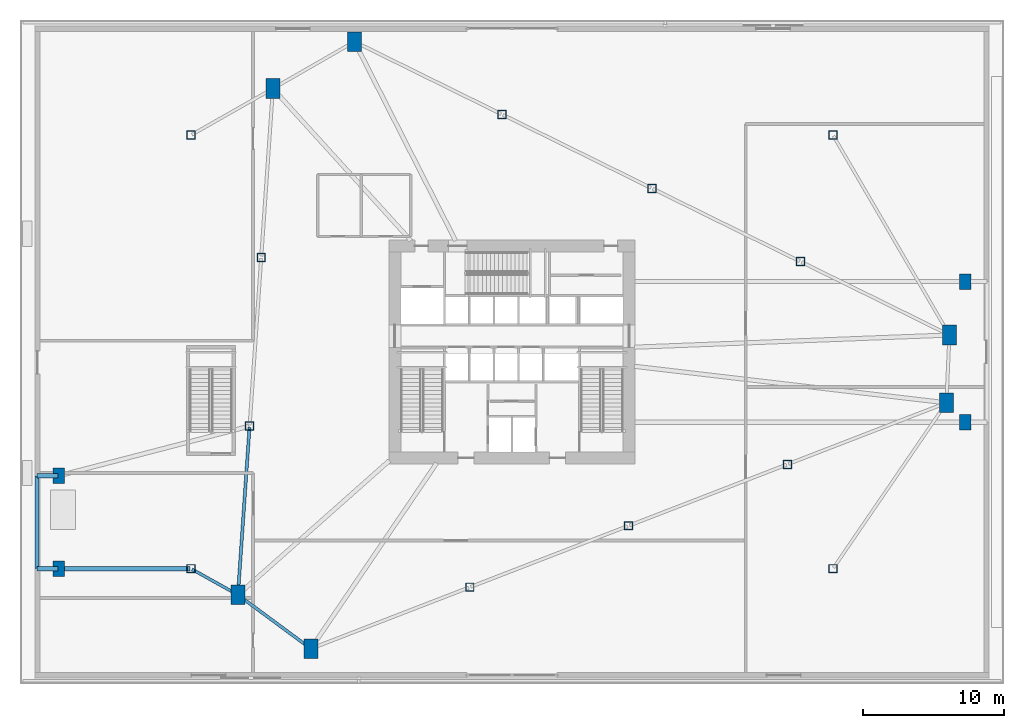
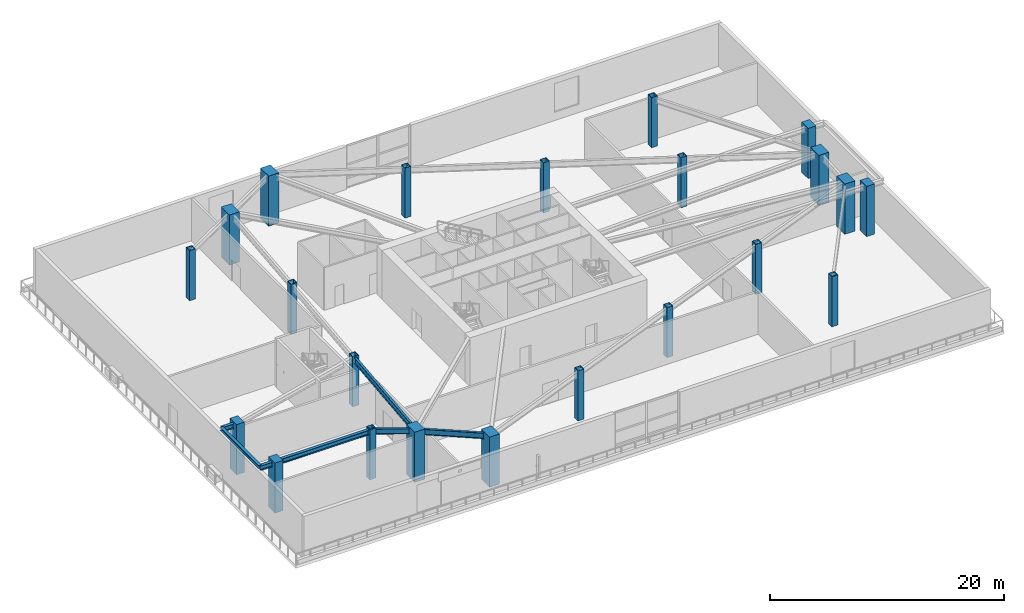
# One storey, part 1 of 15: 22 columns, 7 beams.
"""IFC4 building model written with IfcOpenShell, lengths in metres."""

from ifc_helpers import new_model, si_unit, direction, frame, origin, origin_2d, place, context, subcontext, project, spatial, rectangle, hollow_rectangle, i_section, extrude, source, transform, mapped, material, material_profile, profile_set, type_object, element, save


model = new_model("IFC4")

# Units and contexts
model_context = context("Model", 3, precision=1e-05, world=origin(), true_north=direction((0.0, 1.0)))
body_context = subcontext(model_context, "Body", "Model", "MODEL_VIEW")
ifc_project = project(units=[si_unit("LENGTHUNIT", "METRE"), si_unit("AREAUNIT", "SQUARE_METRE"), si_unit("VOLUMEUNIT", "CUBIC_METRE"), si_unit("PLANEANGLEUNIT", "RADIAN"), si_unit("MASSUNIT", "GRAM", prefix="KILO")], contexts=[model_context])

# Site, building, storey
site_placement = place(None, origin())
site = spatial("IfcSite", under=ifc_project, at=site_placement, CompositionType="ELEMENT")
building_placement = place(site_placement, origin())
building = spatial("IfcBuilding", under=site, at=building_placement, Name="Olszyna Solenne Hotel", CompositionType="ELEMENT")
storey_placement = place(building_placement, frame((0.0, 0.0, 10.199951171875)))
storey = spatial("IfcBuildingStorey", under=building, at=storey_placement, Name="L02", CompositionType="ELEMENT", Elevation=10.199951171875)

# Columns
ifc_material_1 = material(Name="Concrete C60/75", Category="concrete")
ifc_material_profile_1 = material_profile(ifc_material_1, rectangle(XDim=1.0, YDim=1.39990234375, at=origin_2d()), Name="RC 1400x1000", Category="load-bearing")
ifc_profile_set_1 = profile_set([ifc_material_profile_1], Name="Concrete C60/75")
column_type_1 = type_object("IfcColumnType", Name="COL-P1", PredefinedType="COLUMN", material=ifc_profile_set_1)
shared_shape_1 = source(origin(), body_context, "Body", "SweptSolid", [
    extrude(rectangle(XDim=1.0, YDim=1.39990234375, at=origin_2d()), origin(), (0.0, 0.0, 1.0), 5.235107421875),
])
for number, where, z_axis, x_axis, name in (
    (1, (68.858154296875, 22.984619140625, 0.0), (0.0, 0.0, 1.0), (1.0, 0.0, 0.0), "Podium mega-column COL-P1 C-L02-P1-01"),
    (2, (69.072509765625, 27.802978515625, 0.0), (0.0, 0.0, 1.0), (1.0, 0.0, 0.0), "Podium mega-column COL-P1 C-L02-P1-02"),
    (3, (26.808837890625, 48.6416015625, 0.0), (0.0, 0.0, 1.0), (1.0, 0.0, 0.0), "Podium mega-column COL-P1 C-L02-P1-03"),
    (4, (21.014404296875, 45.309326171875, 0.0), (0.0, 0.0, 1.0), (1.0, 0.0, 0.0), "Podium mega-column COL-P1 C-L02-P1-04"),
    (5, (18.53173828125, 9.34130859375, 0.0), (0.0, 0.0, 1.0), (1.0, 0.0, 0.0), "Podium mega-column COL-P1 C-L02-P1-05"),
    (6, (23.71435546875, 5.520263671875, 0.0), (0.0, 0.0, 1.0), (1.0, 0.0, 0.0), "Podium mega-column COL-P1 C-L02-P1-06"),
):
    element("IfcColumn", number, at=place(storey_placement, frame(where, z_axis=z_axis, x_axis=x_axis)), inside=storey, type_object=column_type_1, Name=name, PredefinedType="COLUMN", context=body_context, shape_type="MappedRepresentation", body=[
        mapped(shared_shape_1, transform((0.0, 0.0, 0.0), x_axis=(1.0, 0.0, 0.0), y_axis=(0.0, 1.0, 0.0), z_axis=(0.0, 0.0, 1.0), scale=1.0)),
    ])
ifc_material_2 = material(Name="Steel S460M", Category="steel")
ifc_material_profile_2 = material_profile(ifc_material_2, hollow_rectangle(XDim=0.60009765625, YDim=0.60009765625, WallThickness=0.034912109375, at=origin_2d()), Name="SHS 600x600x35", Category="load-bearing")
ifc_profile_set_2 = profile_set([ifc_material_profile_2], Name="Steel S460M")
column_type_2 = type_object("IfcColumnType", Name="COL-P2", PredefinedType="COLUMN", material=ifc_profile_set_2)
shared_shape_2 = source(origin(), body_context, "Body", "SweptSolid", [
    extrude(hollow_rectangle(XDim=0.60009765625, YDim=0.60009765625, WallThickness=0.034912109375, at=origin_2d()), origin(), (0.0, 0.0, 1.0), 5.235107421875),
])
for number, where, z_axis, x_axis, name in (
    (7, (15.199951171875, 11.199951171875, 0.0), (0.0, 0.0, 1.0), (1.0, 0.0, 0.0), "Podium mega-column COL-P2 C-L02-P2-01"),
    (8, (15.199951171875, 42.0, 0.0), (0.0, 0.0, 1.0), (1.0, 0.0, 0.0), "Podium mega-column COL-P2 C-L02-P2-02"),
    (9, (60.800048828125, 11.199951171875, 0.0), (0.0, 0.0, 1.0), (1.0, 0.0, 0.0), "Podium mega-column COL-P2 C-L02-P2-03"),
    (10, (60.800048828125, 42.0, 0.0), (0.0, 0.0, 1.0), (1.0, 0.0, 0.0), "Podium mega-column COL-P2 C-L02-P2-04"),
    (11, (58.506591796875, 33.0126953125, 0.0), (0.0, 0.0, 1.0), (1.0, 0.0, 0.0), "Podium transfer-support column COL-P2 C-L02-TG-01"),
    (12, (47.94091796875, 38.222412109375, 0.0), (0.0, 0.0, 1.0), (1.0, 0.0, 0.0), "Podium transfer-support column COL-P2 C-L02-TG-02"),
    (13, (37.287109375, 43.47509765625, 0.0), (0.0, 0.0, 1.0), (1.0, 0.0, 0.0), "Podium transfer-support column COL-P2 C-L02-TG-03"),
    (14, (20.186767578125, 33.320068359375, 0.0), (0.0, 0.0, 1.0), (1.0, 0.0, 0.0), "Podium transfer-support column COL-P2 C-L02-TG-04"),
    (15, (19.359375, 21.33056640625, 0.0), (0.0, 0.0, 1.0), (1.0, 0.0, 0.0), "Podium transfer-support column COL-P2 C-L02-TG-05"),
    (16, (35.000244140625, 9.88623046875, 0.0), (0.0, 0.0, 1.0), (1.0, 0.0, 0.0), "Podium transfer-support column COL-P2 C-L02-TG-06"),
    (17, (46.2861328125, 14.25244140625, 0.0), (0.0, 0.0, 1.0), (1.0, 0.0, 0.0), "Podium transfer-support column COL-P2 C-L02-TG-07"),
    (18, (57.572265625, 18.618408203125, 0.0), (0.0, 0.0, 1.0), (1.0, 0.0, 0.0), "Podium transfer-support column COL-P2 C-L02-TG-08"),
):
    element("IfcColumn", number, at=place(storey_placement, frame(where, z_axis=z_axis, x_axis=x_axis)), inside=storey, type_object=column_type_2, Name=name, PredefinedType="COLUMN", context=body_context, shape_type="MappedRepresentation", body=[
        mapped(shared_shape_2, transform((0.0, 0.0, 0.0), x_axis=(1.0, 0.0, 0.0), y_axis=(0.0, 1.0, 0.0), z_axis=(0.0, 0.0, 1.0), scale=1.0)),
    ])
ifc_material_3 = material(Name="Concrete C50/60", Category="concrete")
ifc_material_profile_3 = material_profile(ifc_material_3, rectangle(XDim=0.800048828125, YDim=1.10009765625, at=origin_2d()), Name="RC 1100x800", Category="load-bearing")
ifc_profile_set_3 = profile_set([ifc_material_profile_3], Name="Concrete C50/60")
column_type_3 = type_object("IfcColumnType", Name="COL-B1", PredefinedType="COLUMN", material=ifc_profile_set_3)
shared_shape_3 = source(origin(), body_context, "Body", "SweptSolid", [
    extrude(rectangle(XDim=0.800048828125, YDim=1.10009765625, at=origin_2d()), origin(), (0.0, 0.0, 1.0), 5.235107421875),
])
for number, where, z_axis, x_axis, name in (
    (19, (5.800048828125, 11.199951171875, 0.0), (0.0, 0.0, 1.0), (1.0, 0.0, 0.0), "Terrace support RC column COL-B1 C-L02-TC-140"),
    (20, (5.800048828125, 17.800048828125, 0.0), (0.0, 0.0, 1.0), (1.0, 0.0, 0.0), "Terrace support RC column COL-B1 C-L02-TC-141"),
    (21, (70.199951171875, 21.60009765625, 0.0), (0.0, 0.0, 1.0), (1.0, 0.0, 0.0), "Terrace support RC column COL-B1 C-L02-TC-142"),
    (22, (70.199951171875, 31.60009765625, 0.0), (0.0, 0.0, 1.0), (1.0, 0.0, 0.0), "Terrace support RC column COL-B1 C-L02-TC-143"),
):
    element("IfcColumn", number, at=place(storey_placement, frame(where, z_axis=z_axis, x_axis=x_axis)), inside=storey, type_object=column_type_3, Name=name, PredefinedType="COLUMN", context=body_context, shape_type="MappedRepresentation", body=[
        mapped(shared_shape_3, transform((0.0, 0.0, 0.0), x_axis=(1.0, 0.0, 0.0), y_axis=(0.0, 1.0, 0.0), z_axis=(0.0, 0.0, 1.0), scale=1.0)),
    ])

# Beams
ifc_material_4 = material(Name="Steel S355J2", Category="steel")
ifc_material_profile_4 = material_profile(ifc_material_4, i_section(OverallWidth=0.2099609375, OverallDepth=0.550048828125, WebThickness=0.010986328125, FlangeThickness=0.01708984375, at=origin_2d()), Name="IPE 550", Category="load-bearing")
ifc_profile_set_4 = profile_set([ifc_material_profile_4], Name="Steel S355J2")
beam_type_1 = type_object("IfcBeamType", Name="BM-F2", PredefinedType="BEAM", material=ifc_profile_set_4)
shared_shape_4 = source(origin(), body_context, "Body", "SweptSolid", [
    extrude(i_section(OverallWidth=0.2099609375, OverallDepth=0.550048828125, WebThickness=0.010986328125, FlangeThickness=0.01708984375, at=origin_2d()), origin(), (0.0, 0.0, 1.0), 3.655029296875),
])
beam_1_placement = place(storey_placement, frame((15.27001953125, 11.160888671875, 4.804931640625), z_axis=(0.873286271012, -0.487207439251, 0.0), x_axis=(0.487207439251, 0.873286271012, 0.0)))
element("IfcBeam", 23, at=beam_1_placement, inside=storey, type_object=beam_type_1, Name="Podium terrace girder BM-F2 B-L02-0111", PredefinedType="BEAM", context=body_context, shape_type="MappedRepresentation", body=[
    mapped(shared_shape_4, transform((0.0, 0.0, 0.0), x_axis=(1.0, 0.0, 0.0), y_axis=(0.0, 1.0, 0.0), z_axis=(0.0, 0.0, 1.0), scale=1.0)),
])
ifc_material_profile_5 = material_profile(ifc_material_4, i_section(OverallWidth=0.300048828125, OverallDepth=0.489990234375, WebThickness=0.011962890625, FlangeThickness=0.02294921875, at=origin_2d()), Name="HEA 500", Category="load-bearing")
ifc_profile_set_5 = profile_set([ifc_material_profile_5], Name="Steel S355J2")
beam_type_2 = type_object("IfcBeamType", Name="BM-G1", PredefinedType="BEAM", material=ifc_profile_set_5)
shared_shape_5 = source(origin(), body_context, "Body", "SweptSolid", [
    extrude(i_section(OverallWidth=0.300048828125, OverallDepth=0.489990234375, WebThickness=0.011962890625, FlangeThickness=0.02294921875, at=origin_2d()), origin(), (0.0, 0.0, 1.0), 9.27978515625),
])
beam_2_placement = place(storey_placement, frame((5.860107421875, 11.199951171875, 4.8349609375), z_axis=(1.0, 0.0, 0.0), x_axis=(0.0, 1.0, 0.0)))
element("IfcBeam", 24, at=beam_2_placement, inside=storey, type_object=beam_type_2, Name="Terrace West interior back-span girder BM-G1 B-L02-0101", PredefinedType="BEAM", context=body_context, shape_type="MappedRepresentation", body=[
    mapped(shared_shape_5, transform((0.0, 0.0, 0.0), x_axis=(1.0, 0.0, 0.0), y_axis=(0.0, 1.0, 0.0), z_axis=(0.0, 0.0, 1.0), scale=1.0)),
])
ifc_material_profile_6 = material_profile(ifc_material_4, i_section(OverallWidth=0.300048828125, OverallDepth=0.31005859375, WebThickness=0.009033203125, FlangeThickness=0.015380859375, at=origin_2d()), Name="HEA 320", Category="load-bearing")
ifc_profile_set_6 = profile_set([ifc_material_profile_6], Name="Steel S355J2")
beam_type_3 = type_object("IfcBeamType", Name="BM-G3", PredefinedType="BEAM", material=ifc_profile_set_6)
shared_shape_6 = source(origin(), body_context, "Body", "SweptSolid", [
    extrude(i_section(OverallWidth=0.300048828125, OverallDepth=0.31005859375, WebThickness=0.009033203125, FlangeThickness=0.015380859375, at=origin_2d()), origin(), (0.0, 0.0, 1.0), 6.60009765625),
])
beam_3_placement = place(storey_placement, frame((4.25, 11.199951171875, 4.925048828125), z_axis=(0.0, 1.0, 0.0), x_axis=(-1.0, 0.0, 0.0)))
element("IfcBeam", 25, at=beam_3_placement, inside=storey, type_object=beam_type_3, Name="Terrace West rim beam BM-G3 B-L02-0105", PredefinedType="BEAM", context=body_context, shape_type="MappedRepresentation", body=[
    mapped(shared_shape_6, transform((0.0, 0.0, 0.0), x_axis=(1.0, 0.0, 0.0), y_axis=(0.0, 1.0, 0.0), z_axis=(0.0, 0.0, 1.0), scale=1.0)),
])
ifc_material_profile_7 = material_profile(ifc_material_4, i_section(OverallWidth=0.219970703125, OverallDepth=0.60009765625, WebThickness=0.011962890625, FlangeThickness=0.01904296875, at=origin_2d()), Name="IPE 600", Category="load-bearing")
ifc_profile_set_7 = profile_set([ifc_material_profile_7], Name="Steel S355J2")
beam_type_4 = type_object("IfcBeamType", Name="BM-F1", PredefinedType="BEAM", material=ifc_profile_set_7)
shared_shape_7 = source(origin(), body_context, "Body", "SweptSolid", [
    extrude(i_section(OverallWidth=0.219970703125, OverallDepth=0.60009765625, WebThickness=0.011962890625, FlangeThickness=0.01904296875, at=origin_2d()), origin(), (0.0, 0.0, 1.0), 11.85791015625),
])
beam_4_placement = place(storey_placement, frame((19.353759765625, 21.250732421875, 4.780029296875), z_axis=(-0.068869217947, -0.997625696752, 0.0), x_axis=(0.997625696752, -0.068869217947, 0.0)))
element("IfcBeam", 26, at=beam_4_placement, inside=storey, type_object=beam_type_4, Name="Podium ring girder BM-F1 BRG-L02-43", PredefinedType="BEAM", context=body_context, shape_type="MappedRepresentation", body=[
    mapped(shared_shape_7, transform((0.0, 0.0, 0.0), x_axis=(1.0, 0.0, 0.0), y_axis=(0.0, 1.0, 0.0), z_axis=(0.0, 0.0, 1.0), scale=1.0)),
])
shared_shape_8 = source(origin(), body_context, "Body", "SweptSolid", [
    extrude(i_section(OverallWidth=0.219970703125, OverallDepth=0.60009765625, WebThickness=0.011962890625, FlangeThickness=0.01904296875, at=origin_2d()), origin(), (0.0, 0.0, 1.0), 6.27880859375),
])
beam_5_placement = place(storey_placement, frame((18.59619140625, 9.293701171875, 4.780029296875), z_axis=(0.804881840641, -0.593435103955, 0.0), x_axis=(0.593435103955, 0.804881840641, 0.0)))
element("IfcBeam", 27, at=beam_5_placement, inside=storey, type_object=beam_type_4, Name="Podium ring girder BM-F1 B-L02-0097", PredefinedType="BEAM", context=body_context, shape_type="MappedRepresentation", body=[
    mapped(shared_shape_8, transform((0.0, 0.0, 0.0), x_axis=(1.0, 0.0, 0.0), y_axis=(0.0, 1.0, 0.0), z_axis=(0.0, 0.0, 1.0), scale=1.0)),
])
shared_shape_9 = source(origin(), body_context, "Body", "SweptSolid", [
    extrude(i_section(OverallWidth=0.300048828125, OverallDepth=0.489990234375, WebThickness=0.011962890625, FlangeThickness=0.02294921875, at=origin_2d()), origin(), (0.0, 0.0, 1.0), 1.489990234375),
])
for number, where, z_axis, x_axis, name in (
    (28, (4.25, 11.199951171875, 4.8349609375), (1.0, 0.0, 0.0), (0.0, 1.0, 0.0), "Terrace West overhang girder BM-G1 B-L02-0102"),
    (29, (4.25, 17.800048828125, 4.8349609375), (1.0, 0.0, 0.0), (0.0, 1.0, 0.0), "Terrace West overhang girder BM-G1 B-L02-0104"),
):
    element("IfcBeam", number, at=place(storey_placement, frame(where, z_axis=z_axis, x_axis=x_axis)), inside=storey, type_object=beam_type_2, Name=name, PredefinedType="BEAM", context=body_context, shape_type="MappedRepresentation", body=[
        mapped(shared_shape_9, transform((0.0, 0.0, 0.0), x_axis=(1.0, 0.0, 0.0), y_axis=(0.0, 1.0, 0.0), z_axis=(0.0, 0.0, 1.0), scale=1.0)),
    ])

save(model, "model.ifc")
